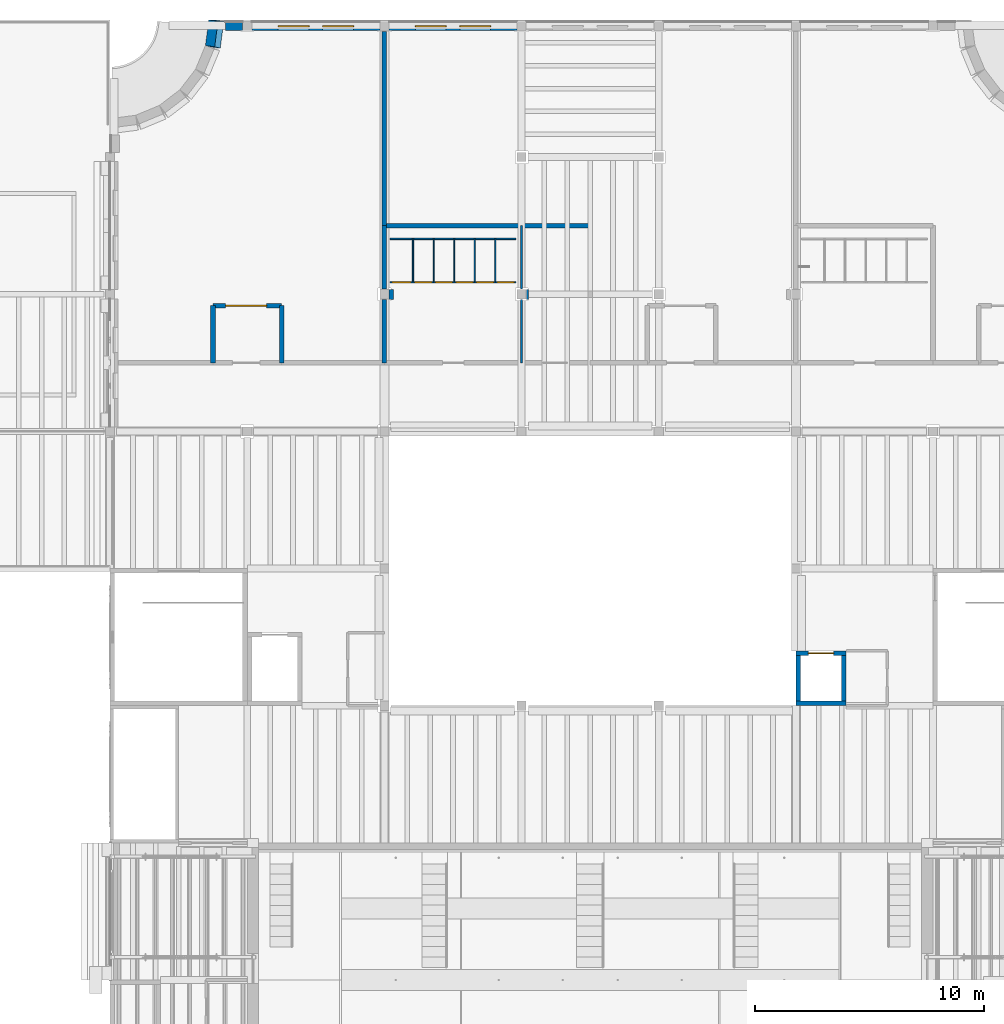
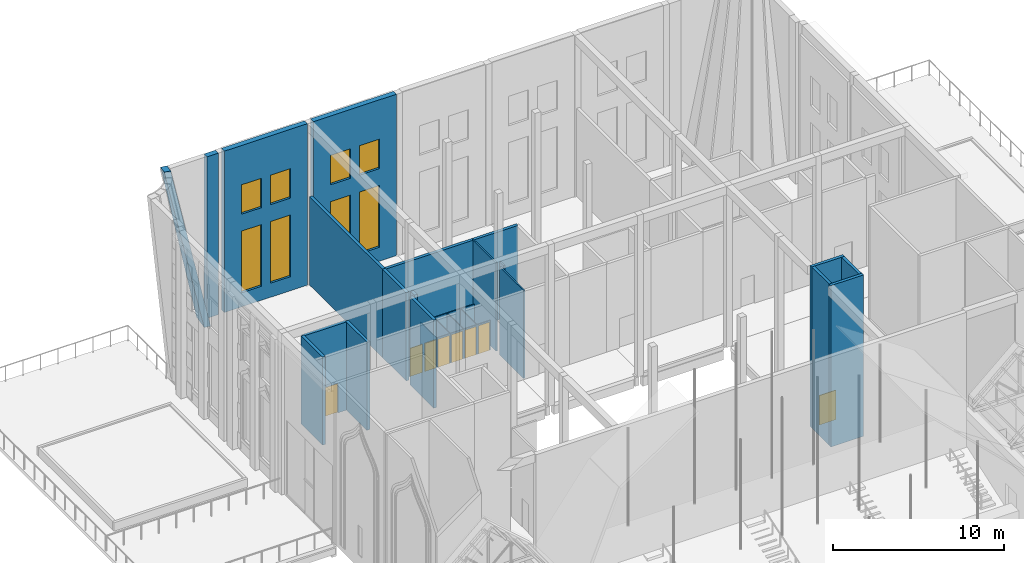
# One storey, part 66 of 118: 31 walls, 8 doors, 8 windows, 16 openings.
"""IFC4 building model written with IfcOpenShell, lengths in metres."""

from ifc_helpers import new_model, si_unit, direction, frame, frame_2d, origin, place, context, subcontext, project, spatial, polyline, rectangle, outline, extrude, material, layer, layer_set, type_object, element, fill, save


model = new_model("IFC4")

# Units and contexts
model_context = context("Model", 3, precision=1e-05, world=origin(), true_north=direction((0.0, 1.0)))
body_context = subcontext(model_context, "Body", "Model", "MODEL_VIEW")
ifc_project = project(units=[si_unit("LENGTHUNIT", "METRE"), si_unit("AREAUNIT", "SQUARE_METRE"), si_unit("VOLUMEUNIT", "CUBIC_METRE"), si_unit("PLANEANGLEUNIT", "RADIAN"), si_unit("MASSUNIT", "GRAM", prefix="KILO")], contexts=[model_context])

# Site, building, storey
site_placement = place(None, origin())
site = spatial("IfcSite", under=ifc_project, at=site_placement, CompositionType="ELEMENT")
building_placement = place(site_placement, origin())
building = spatial("IfcBuilding", under=site, at=building_placement, Name="Saffron Lane Theatres", CompositionType="ELEMENT")
storey_placement = place(building_placement, frame((0.0, 0.0, 16.5)))
storey = spatial("IfcBuildingStorey", under=building, at=storey_placement, Name="L03", CompositionType="ELEMENT", Elevation=16.5)

# Wall
ifc_material_1 = material(Name="Masonry pale clay brick (20 MPa)", Category="masonry")
ifc_layer_1 = layer(ifc_material_1, 0.35009765625)
ifc_layer_set_1 = layer_set([ifc_layer_1], Name="Masonry pale clay brick (20 MPa)")
wall_type_1 = type_object("IfcWallType", Name="EX-WALL BRICK BEARING 350", PredefinedType="SOLIDWALL", material=ifc_layer_set_1)
wall_1_placement = place(storey_placement, frame((17.0361328125, 125.72509765625, 0.0), z_axis=(0.0, 0.0, 1.0), x_axis=(1.0, 0.0, 0.0)))
element("IfcWall", 1, at=wall_1_placement, inside=storey, type_object=wall_type_1, Name="External wall L03 01", PredefinedType="SOLIDWALL", context=body_context, shape_type="SweptSolid", body=[
    extrude(rectangle(XDim=0.763916015625, YDim=0.35009765625, at=frame_2d((0.3818359375, 0.0))), origin(), (0.0, 0.0, 1.0), 11.5),
])

# Wall, openings, windows
wall_2_placement = place(storey_placement, frame((18.199951171875, 125.72509765625, 0.0), z_axis=(0.0, 0.0, 1.0), x_axis=(1.0, 0.0, 0.0)))
wall_2 = element("IfcWall", 2, at=wall_2_placement, inside=storey, type_object=wall_type_1, Name="External wall L03 03", PredefinedType="SOLIDWALL", context=body_context, shape_type="SweptSolid", body=[
    extrude(rectangle(XDim=5.60009765625, YDim=0.35009765625, at=frame_2d((2.800048828125, 0.0))), origin(), (0.0, 0.0, 1.0), 11.5),
])
opening_1_placement = place(wall_2_placement, frame((1.14990234375, 0.0, 1.0)))
opening_1 = element("IfcOpeningElement", 3, at=opening_1_placement, cuts=wall_2, Name="Opening WN03-001", PredefinedType="OPENING", context=body_context, shape_type="SweptSolid", body=[
    extrude(rectangle(XDim=1.35009765625, YDim=4.39990234375, at=frame_2d((0.675048828125, 2.199951171875))), frame((0.0, 0.18505859375, 0.0), z_axis=(0.0, -1.0, 0.0), x_axis=(1.0, 0.0, 0.0)), (0.0, 0.0, 1.0), 0.3701171875),
])
opening_2_placement = place(wall_2_placement, frame((3.10009765625, 0.0, 1.0)))
opening_2 = element("IfcOpeningElement", 4, at=opening_2_placement, cuts=wall_2, Name="Opening WN03-002", PredefinedType="OPENING", context=body_context, shape_type="SweptSolid", body=[
    extrude(rectangle(XDim=1.35009765625, YDim=4.39990234375, at=frame_2d((0.675048828125, 2.199951171875))), frame((0.0, 0.18505859375, 0.0), z_axis=(0.0, -1.0, 0.0), x_axis=(1.0, 0.0, 0.0)), (0.0, 0.0, 1.0), 0.3701171875),
])
opening_3_placement = place(wall_2_placement, frame((1.14990234375, 0.0, 6.60009765625)))
opening_3 = element("IfcOpeningElement", 5, at=opening_3_placement, cuts=wall_2, Name="Opening WN03-003", PredefinedType="OPENING", context=body_context, shape_type="SweptSolid", body=[
    extrude(rectangle(XDim=1.35009765625, YDim=2.10009765625, at=frame_2d((0.675048828125, 1.050048828125))), frame((0.0, 0.18505859375, 0.0), z_axis=(0.0, -1.0, 0.0), x_axis=(1.0, 0.0, 0.0)), (0.0, 0.0, 1.0), 0.3701171875),
])
opening_4_placement = place(wall_2_placement, frame((3.10009765625, 0.0, 6.60009765625)))
opening_4 = element("IfcOpeningElement", 6, at=opening_4_placement, cuts=wall_2, Name="Opening WN03-004", PredefinedType="OPENING", context=body_context, shape_type="SweptSolid", body=[
    extrude(rectangle(XDim=1.35009765625, YDim=2.10009765625, at=frame_2d((0.675048828125, 1.050048828125))), frame((0.0, 0.18505859375, 0.0), z_axis=(0.0, -1.0, 0.0), x_axis=(1.0, 0.0, 0.0)), (0.0, 0.0, 1.0), 0.3701171875),
])
ifc_material_2 = material(Name="Aluminium", Category="aluminium")
window_type_1 = type_object("IfcWindowType", Name="EX-WINDOW 1350x2100", PartitioningType="SINGLE_PANEL", PredefinedType="WINDOW", material=ifc_material_2)
window_1_placement = place(opening_3_placement, origin())
window_1 = element("IfcWindow", 7, at=window_1_placement, inside=storey, type_object=window_type_1, Name="Window L03 003", OverallHeight=2.10009765625, OverallWidth=1.35009765625, PartitioningType="SINGLE_PANEL", PredefinedType="WINDOW", context=body_context, shape_type="SweptSolid", body=[
    extrude(rectangle(XDim=1.35009765625, YDim=2.10009765625, at=frame_2d((0.675048828125, 1.050048828125))), frame((0.0, 0.030029296875, 0.0), z_axis=(0.0, -1.0, 0.0), x_axis=(1.0, 0.0, 0.0)), (0.0, 0.0, 1.0), 0.06005859375),
])
fill(opening_3, window_1)
window_2_placement = place(opening_4_placement, origin())
window_2 = element("IfcWindow", 8, at=window_2_placement, inside=storey, type_object=window_type_1, Name="Window L03 004", OverallHeight=2.10009765625, OverallWidth=1.35009765625, PartitioningType="SINGLE_PANEL", PredefinedType="WINDOW", context=body_context, shape_type="SweptSolid", body=[
    extrude(rectangle(XDim=1.35009765625, YDim=2.10009765625, at=frame_2d((0.675048828125, 1.050048828125))), frame((0.0, 0.030029296875, 0.0), z_axis=(0.0, -1.0, 0.0), x_axis=(1.0, 0.0, 0.0)), (0.0, 0.0, 1.0), 0.06005859375),
])
fill(opening_4, window_2)
ifc_material_3 = material(Name="Aluminium", Category="aluminium")
window_type_2 = type_object("IfcWindowType", Name="EX-WINDOW 1350x4400", PartitioningType="SINGLE_PANEL", PredefinedType="WINDOW", material=ifc_material_3)
window_3_placement = place(opening_1_placement, origin())
window_3 = element("IfcWindow", 9, at=window_3_placement, inside=storey, type_object=window_type_2, Name="Window L03 001", OverallHeight=4.39990234375, OverallWidth=1.35009765625, PartitioningType="SINGLE_PANEL", PredefinedType="WINDOW", context=body_context, shape_type="SweptSolid", body=[
    extrude(rectangle(XDim=1.35009765625, YDim=4.39990234375, at=frame_2d((0.675048828125, 2.199951171875))), frame((0.0, 0.030029296875, 0.0), z_axis=(0.0, -1.0, 0.0), x_axis=(1.0, 0.0, 0.0)), (0.0, 0.0, 1.0), 0.06005859375),
])
fill(opening_1, window_3)
window_4_placement = place(opening_2_placement, origin())
window_4 = element("IfcWindow", 10, at=window_4_placement, inside=storey, type_object=window_type_2, Name="Window L03 002", OverallHeight=4.39990234375, OverallWidth=1.35009765625, PartitioningType="SINGLE_PANEL", PredefinedType="WINDOW", context=body_context, shape_type="SweptSolid", body=[
    extrude(rectangle(XDim=1.35009765625, YDim=4.39990234375, at=frame_2d((0.675048828125, 2.199951171875))), frame((0.0, 0.030029296875, 0.0), z_axis=(0.0, -1.0, 0.0), x_axis=(1.0, 0.0, 0.0)), (0.0, 0.0, 1.0), 0.06005859375),
])
fill(opening_2, window_4)

wall_3_placement = place(storey_placement, frame((24.199951171875, 125.72509765625, 0.0), z_axis=(0.0, 0.0, 1.0), x_axis=(1.0, 0.0, 0.0)))
wall_3 = element("IfcWall", 11, at=wall_3_placement, inside=storey, type_object=wall_type_1, Name="External wall L03 04", PredefinedType="SOLIDWALL", context=body_context, shape_type="SweptSolid", body=[
    extrude(rectangle(XDim=5.60009765625, YDim=0.35009765625, at=frame_2d((2.800048828125, 0.0))), origin(), (0.0, 0.0, 1.0), 11.5),
])
opening_5_placement = place(wall_3_placement, frame((1.14990234375, 0.0, 1.0)))
opening_5 = element("IfcOpeningElement", 12, at=opening_5_placement, cuts=wall_3, Name="Opening WN03-005", PredefinedType="OPENING", context=body_context, shape_type="SweptSolid", body=[
    extrude(rectangle(XDim=1.35009765625, YDim=4.39990234375, at=frame_2d((0.675048828125, 2.199951171875))), frame((0.0, 0.18505859375, 0.0), z_axis=(0.0, -1.0, 0.0), x_axis=(1.0, 0.0, 0.0)), (0.0, 0.0, 1.0), 0.3701171875),
])
opening_6_placement = place(wall_3_placement, frame((3.10009765625, 0.0, 1.0)))
opening_6 = element("IfcOpeningElement", 13, at=opening_6_placement, cuts=wall_3, Name="Opening WN03-006", PredefinedType="OPENING", context=body_context, shape_type="SweptSolid", body=[
    extrude(rectangle(XDim=1.35009765625, YDim=4.39990234375, at=frame_2d((0.675048828125, 2.199951171875))), frame((0.0, 0.18505859375, 0.0), z_axis=(0.0, -1.0, 0.0), x_axis=(1.0, 0.0, 0.0)), (0.0, 0.0, 1.0), 0.3701171875),
])
opening_7_placement = place(wall_3_placement, frame((1.14990234375, 0.0, 6.60009765625)))
opening_7 = element("IfcOpeningElement", 14, at=opening_7_placement, cuts=wall_3, Name="Opening WN03-007", PredefinedType="OPENING", context=body_context, shape_type="SweptSolid", body=[
    extrude(rectangle(XDim=1.35009765625, YDim=2.10009765625, at=frame_2d((0.675048828125, 1.050048828125))), frame((0.0, 0.18505859375, 0.0), z_axis=(0.0, -1.0, 0.0), x_axis=(1.0, 0.0, 0.0)), (0.0, 0.0, 1.0), 0.3701171875),
])
opening_8_placement = place(wall_3_placement, frame((3.10009765625, 0.0, 6.60009765625)))
opening_8 = element("IfcOpeningElement", 15, at=opening_8_placement, cuts=wall_3, Name="Opening WN03-008", PredefinedType="OPENING", context=body_context, shape_type="SweptSolid", body=[
    extrude(rectangle(XDim=1.35009765625, YDim=2.10009765625, at=frame_2d((0.675048828125, 1.050048828125))), frame((0.0, 0.18505859375, 0.0), z_axis=(0.0, -1.0, 0.0), x_axis=(1.0, 0.0, 0.0)), (0.0, 0.0, 1.0), 0.3701171875),
])
window_5_placement = place(opening_7_placement, origin())
window_5 = element("IfcWindow", 16, at=window_5_placement, inside=storey, type_object=window_type_1, Name="Window L03 007", OverallHeight=2.10009765625, OverallWidth=1.35009765625, PartitioningType="SINGLE_PANEL", PredefinedType="WINDOW", context=body_context, shape_type="SweptSolid", body=[
    extrude(rectangle(XDim=1.35009765625, YDim=2.10009765625, at=frame_2d((0.675048828125, 1.050048828125))), frame((0.0, 0.030029296875, 0.0), z_axis=(0.0, -1.0, 0.0), x_axis=(1.0, 0.0, 0.0)), (0.0, 0.0, 1.0), 0.06005859375),
])
fill(opening_7, window_5)
window_6_placement = place(opening_8_placement, origin())
window_6 = element("IfcWindow", 17, at=window_6_placement, inside=storey, type_object=window_type_1, Name="Window L03 008", OverallHeight=2.10009765625, OverallWidth=1.35009765625, PartitioningType="SINGLE_PANEL", PredefinedType="WINDOW", context=body_context, shape_type="SweptSolid", body=[
    extrude(rectangle(XDim=1.35009765625, YDim=2.10009765625, at=frame_2d((0.675048828125, 1.050048828125))), frame((0.0, 0.030029296875, 0.0), z_axis=(0.0, -1.0, 0.0), x_axis=(1.0, 0.0, 0.0)), (0.0, 0.0, 1.0), 0.06005859375),
])
fill(opening_8, window_6)
window_7_placement = place(opening_5_placement, origin())
window_7 = element("IfcWindow", 18, at=window_7_placement, inside=storey, type_object=window_type_2, Name="Window L03 005", OverallHeight=4.39990234375, OverallWidth=1.35009765625, PartitioningType="SINGLE_PANEL", PredefinedType="WINDOW", context=body_context, shape_type="SweptSolid", body=[
    extrude(rectangle(XDim=1.35009765625, YDim=4.39990234375, at=frame_2d((0.675048828125, 2.199951171875))), frame((0.0, 0.030029296875, 0.0), z_axis=(0.0, -1.0, 0.0), x_axis=(1.0, 0.0, 0.0)), (0.0, 0.0, 1.0), 0.06005859375),
])
fill(opening_5, window_7)
window_8_placement = place(opening_6_placement, origin())
window_8 = element("IfcWindow", 19, at=window_8_placement, inside=storey, type_object=window_type_2, Name="Window L03 006", OverallHeight=4.39990234375, OverallWidth=1.35009765625, PartitioningType="SINGLE_PANEL", PredefinedType="WINDOW", context=body_context, shape_type="SweptSolid", body=[
    extrude(rectangle(XDim=1.35009765625, YDim=4.39990234375, at=frame_2d((0.675048828125, 2.199951171875))), frame((0.0, 0.030029296875, 0.0), z_axis=(0.0, -1.0, 0.0), x_axis=(1.0, 0.0, 0.0)), (0.0, 0.0, 1.0), 0.06005859375),
])
fill(opening_6, window_8)

# Wall
ifc_material_4 = material(Name="Acoustic double stud partition")
ifc_layer_2 = layer(ifc_material_4, 0.199951171875)
ifc_layer_set_2 = layer_set([ifc_layer_2], Name="Acoustic double stud partition")
wall_type_2 = type_object("IfcWallType", Name="IN-ACOUSTIC PARTITION 200", PredefinedType="PARTITIONING", material=ifc_layer_set_2)
wall_4_placement = place(storey_placement, frame((16.5, 111.0, 0.0), z_axis=(0.0, 0.0, 1.0), x_axis=(0.0, 1.0, 0.0)))
element("IfcWall", 20, at=wall_4_placement, inside=storey, type_object=wall_type_2, Name="PW-L03-003", PredefinedType="PARTITIONING", context=body_context, shape_type="SweptSolid", body=[
    extrude(rectangle(XDim=2.5, YDim=0.199951171875, at=frame_2d((1.25, 0.0))), origin(), (0.0, 0.0, 1.0), 6.280029296875),
])

# Wall, opening, door
wall_5_placement = place(storey_placement, frame((16.5, 113.5, 0.0), z_axis=(0.0, 0.0, 1.0), x_axis=(1.0, 0.0, 0.0)))
wall_5 = element("IfcWall", 21, at=wall_5_placement, inside=storey, type_object=wall_type_2, Name="PW-L03-004", PredefinedType="PARTITIONING", context=body_context, shape_type="SweptSolid", body=[
    extrude(rectangle(XDim=3.0, YDim=0.199951171875, at=frame_2d((1.5, 0.0))), origin(), (0.0, 0.0, 1.0), 6.280029296875),
])
opening_9_placement = place(wall_5_placement, frame((0.550048828125, 0.0, 0.0)))
opening_9 = element("IfcOpeningElement", 22, at=opening_9_placement, cuts=wall_5, Name="Opening D03-02", PredefinedType="OPENING", context=body_context, shape_type="SweptSolid", body=[
    extrude(rectangle(XDim=1.800048828125, YDim=2.10009765625, at=frame_2d((0.89990234375, 1.050048828125))), frame((0.0, 0.10986328125, 0.0), z_axis=(0.0, -1.0, 0.0), x_axis=(1.0, 0.0, 0.0)), (0.0, 0.0, 1.0), 0.219970703125),
])
ifc_material_5 = material(Name="Steel faced fire door leaf", Category="steel")
door_type_1 = type_object("IfcDoorType", Name="IN-DOOR 1800x2100 FD60", OperationType="DOUBLE_DOOR_SINGLE_SWING", PredefinedType="DOOR", material=ifc_material_5)
door_1_placement = place(opening_9_placement, frame((1.800048828125, 0.0, 0.0), z_axis=(0.0, 0.0, 1.0), x_axis=(-1.0, 0.0, 0.0)))
door_1 = element("IfcDoor", 23, at=door_1_placement, inside=storey, type_object=door_type_1, Name="D03-02", OperationType="DOUBLE_DOOR_SINGLE_SWING", OverallHeight=2.10009765625, OverallWidth=1.800048828125, PredefinedType="DOOR", context=body_context, shape_type="SweptSolid", body=[
    extrude(rectangle(XDim=1.800048828125, YDim=2.10009765625, at=frame_2d((0.89990234375, 1.050048828125))), frame((0.0, 0.02490234375, 0.0), z_axis=(0.0, -1.0, 0.0), x_axis=(1.0, 0.0, 0.0)), (0.0, 0.0, 1.0), 0.050048828125),
])
fill(opening_9, door_1)

# Walls
wall_6_placement = place(storey_placement, frame((19.5, 111.0, 0.0), z_axis=(0.0, 0.0, 1.0), x_axis=(0.0, 1.0, 0.0)))
element("IfcWall", 24, at=wall_6_placement, inside=storey, type_object=wall_type_2, Name="PW-L03-005", PredefinedType="PARTITIONING", context=body_context, shape_type="SweptSolid", body=[
    extrude(rectangle(XDim=2.5, YDim=0.199951171875, at=frame_2d((1.25, 0.0))), origin(), (0.0, 0.0, 1.0), 6.280029296875),
])
for number, where, z_axis, x_axis, name in (
    (25, (24.0, 114.219970703125, 0.0), (0.0, 0.0, 1.0), (0.0, 1.0, 0.0), "PW-L03-008"),
    (26, (24.0, 111.0, 0.0), (0.0, 0.0, 1.0), (0.0, 1.0, 0.0), "PW-L03-009"),
):
    element("IfcWall", number, at=place(storey_placement, frame(where, z_axis=z_axis, x_axis=x_axis)), inside=storey, type_object=wall_type_2, Name=name, PredefinedType="PARTITIONING", context=body_context, shape_type="SweptSolid", body=[
        extrude(rectangle(XDim=2.780029296875, YDim=0.199951171875, at=frame_2d((1.39013671875, 0.0))), origin(), (0.0, 0.0, 1.0), 6.280029296875),
    ])
wall_7_placement = place(storey_placement, frame((24.304931640625, 113.780029296875, 0.0), z_axis=(0.0, 0.0, 1.0), x_axis=(0.0, 1.0, 0.0)))
element("IfcWall", 27, at=wall_7_placement, inside=storey, type_object=wall_type_2, Name="PW-L03-010", PredefinedType="PARTITIONING", context=body_context, shape_type="SweptSolid", body=[
    extrude(rectangle(XDim=0.43994140625, YDim=0.199951171875, at=frame_2d((0.219970703125, 0.0))), origin(), (0.0, 0.0, 1.0), 6.280029296875),
])
wall_8_placement = place(storey_placement, frame((24.0, 117.0, 0.0), z_axis=(0.0, 0.0, 1.0), x_axis=(1.0, 0.0, 0.0)))
element("IfcWall", 28, at=wall_8_placement, inside=storey, type_object=wall_type_2, Name="PW-L03-011", PredefinedType="PARTITIONING", context=body_context, shape_type="SweptSolid", body=[
    extrude(rectangle(XDim=9.0, YDim=0.199951171875, at=frame_2d((4.5, 0.0))), origin(), (0.0, 0.0, 1.0), 6.280029296875),
])
wall_9_placement = place(storey_placement, frame((24.0, 117.0, 0.0), z_axis=(0.0, 0.0, 1.0), x_axis=(0.0, 1.0, 0.0)))
element("IfcWall", 29, at=wall_9_placement, inside=storey, type_object=wall_type_2, Name="PW-L03-013", PredefinedType="PARTITIONING", context=body_context, shape_type="SweptSolid", body=[
    extrude(rectangle(XDim=8.50439453125, YDim=0.199951171875, at=frame_2d((4.252197265625, 0.0))), origin(), (0.0, 0.0, 1.0), 6.280029296875),
])
ifc_material_6 = material(Name="Laminate cubicle panel")
ifc_layer_3 = layer(ifc_material_6, 0.050048828125)
ifc_layer_set_3 = layer_set([ifc_layer_3], Name="Laminate cubicle panel")
wall_type_3 = type_object("IfcWallType", Name="IN-CUBICLE PANEL 050", PredefinedType="PARTITIONING", material=ifc_layer_set_3)
for number, where, z_axis, x_axis, name in (
    (30, (25.25, 114.52490234375, 0.0), (0.0, 0.0, 1.0), (0.0, 1.0, 0.0), "PW-L03-053"),
    (31, (26.14990234375, 114.52490234375, 0.0), (0.0, 0.0, 1.0), (0.0, 1.0, 0.0), "PW-L03-054"),
    (32, (27.050048828125, 114.52490234375, 0.0), (0.0, 0.0, 1.0), (0.0, 1.0, 0.0), "PW-L03-055"),
    (33, (27.949951171875, 114.52490234375, 0.0), (0.0, 0.0, 1.0), (0.0, 1.0, 0.0), "PW-L03-056"),
    (34, (28.85009765625, 114.52490234375, 0.0), (0.0, 0.0, 1.0), (0.0, 1.0, 0.0), "PW-L03-057"),
):
    element("IfcWall", number, at=place(storey_placement, frame(where, z_axis=z_axis, x_axis=x_axis)), inside=storey, type_object=wall_type_3, Name=name, PredefinedType="PARTITIONING", context=body_context, shape_type="SweptSolid", body=[
        extrude(rectangle(XDim=1.900146484375, YDim=0.050048828125, at=frame_2d((0.9501953125, 0.0))), origin(), (0.0, 0.0, 1.0), 2.10009765625),
    ])

# Wall, opening, door
wall_10_placement = place(storey_placement, frame((24.25, 114.52490234375, 0.0), z_axis=(0.0, 0.0, 1.0), x_axis=(1.0, 0.0, 0.0)))
wall_10 = element("IfcWall", 35, at=wall_10_placement, inside=storey, type_object=wall_type_3, Name="PW-L03-058", PredefinedType="PARTITIONING", context=body_context, shape_type="SweptSolid", body=[
    extrude(rectangle(XDim=1.0, YDim=0.050048828125, at=frame_2d((0.5, 0.0))), origin(), (0.0, 0.0, 1.0), 2.10009765625),
])
opening_10_placement = place(wall_10_placement, frame((0.090087890625, 0.0, 0.0)))
opening_10 = element("IfcOpeningElement", 36, at=opening_10_placement, cuts=wall_10, Name="Opening D03-32", PredefinedType="OPENING", context=body_context, shape_type="SweptSolid", body=[
    extrude(rectangle(XDim=0.820068359375, YDim=2.0, at=frame_2d((0.41015625, 1.0))), frame((0.0, 0.03515625, 0.0), z_axis=(0.0, -1.0, 0.0), x_axis=(1.0, 0.0, 0.0)), (0.0, 0.0, 1.0), 0.070068359375),
])
ifc_material_7 = material(Name="Timber door leaf", Category="wood")
door_type_2 = type_object("IfcDoorType", Name="IN-DOOR 820x2000", OperationType="NOTDEFINED", PredefinedType="DOOR", material=ifc_material_7)
door_2_placement = place(opening_10_placement, origin())
door_2 = element("IfcDoor", 37, at=door_2_placement, inside=storey, type_object=door_type_2, Name="D03-32", OperationType="SINGLE_SWING_LEFT", OverallHeight=2.0, OverallWidth=0.820068359375, PredefinedType="DOOR", context=body_context, shape_type="SweptSolid", body=[
    extrude(rectangle(XDim=0.820068359375, YDim=2.0, at=frame_2d((0.41015625, 1.0))), frame((0.0, 0.02490234375, 0.0), z_axis=(0.0, -1.0, 0.0), x_axis=(1.0, 0.0, 0.0)), (0.0, 0.0, 1.0), 0.049560546875),
])
fill(opening_10, door_2)

wall_11_placement = place(storey_placement, frame((25.25, 114.52490234375, 0.0), z_axis=(0.0, 0.0, 1.0), x_axis=(1.0, 0.0, 0.0)))
wall_11 = element("IfcWall", 38, at=wall_11_placement, inside=storey, type_object=wall_type_3, Name="PW-L03-059", PredefinedType="PARTITIONING", context=body_context, shape_type="SweptSolid", body=[
    extrude(rectangle(XDim=0.89990234375, YDim=0.050048828125, at=frame_2d((0.449951171875, 0.0))), origin(), (0.0, 0.0, 1.0), 2.10009765625),
])
opening_11_placement = place(wall_11_placement, frame((0.074951171875, 0.0, 0.0)))
opening_11 = element("IfcOpeningElement", 39, at=opening_11_placement, cuts=wall_11, Name="Opening D03-33", PredefinedType="OPENING", context=body_context, shape_type="SweptSolid", body=[
    extrude(rectangle(XDim=0.75, YDim=2.0, at=frame_2d((0.375, 1.0))), frame((0.0, 0.03515625, 0.0), z_axis=(0.0, -1.0, 0.0), x_axis=(1.0, 0.0, 0.0)), (0.0, 0.0, 1.0), 0.070068359375),
])
ifc_material_8 = material(Name="Timber door leaf", Category="wood")
door_type_3 = type_object("IfcDoorType", Name="IN-DOOR 750x2000", OperationType="NOTDEFINED", PredefinedType="DOOR", material=ifc_material_8)
door_3_placement = place(opening_11_placement, origin())
door_3 = element("IfcDoor", 40, at=door_3_placement, inside=storey, type_object=door_type_3, Name="D03-33", OperationType="SINGLE_SWING_RIGHT", OverallHeight=2.0, OverallWidth=0.75, PredefinedType="DOOR", context=body_context, shape_type="SweptSolid", body=[
    extrude(rectangle(XDim=0.75, YDim=2.0, at=frame_2d((0.375, 1.0))), frame((0.0, 0.02490234375, 0.0), z_axis=(0.0, -1.0, 0.0), x_axis=(1.0, 0.0, 0.0)), (0.0, 0.0, 1.0), 0.049560546875),
])
fill(opening_11, door_3)

wall_12_placement = place(storey_placement, frame((26.14990234375, 114.52490234375, 0.0), z_axis=(0.0, 0.0, 1.0), x_axis=(1.0, 0.0, 0.0)))
wall_12 = element("IfcWall", 41, at=wall_12_placement, inside=storey, type_object=wall_type_3, Name="PW-L03-060", PredefinedType="PARTITIONING", context=body_context, shape_type="SweptSolid", body=[
    extrude(rectangle(XDim=0.900146484375, YDim=0.050048828125, at=frame_2d((0.4501953125, 0.0))), origin(), (0.0, 0.0, 1.0), 2.10009765625),
])
opening_12_placement = place(wall_12_placement, frame((0.074951171875, 0.0, 0.0)))
opening_12 = element("IfcOpeningElement", 42, at=opening_12_placement, cuts=wall_12, Name="Opening D03-34", PredefinedType="OPENING", context=body_context, shape_type="SweptSolid", body=[
    extrude(rectangle(XDim=0.75, YDim=2.0, at=frame_2d((0.375, 1.0))), frame((0.0, 0.03515625, 0.0), z_axis=(0.0, -1.0, 0.0), x_axis=(1.0, 0.0, 0.0)), (0.0, 0.0, 1.0), 0.070068359375),
])
door_4_placement = place(opening_12_placement, origin())
door_4 = element("IfcDoor", 43, at=door_4_placement, inside=storey, type_object=door_type_3, Name="D03-34", OperationType="SINGLE_SWING_LEFT", OverallHeight=2.0, OverallWidth=0.75, PredefinedType="DOOR", context=body_context, shape_type="SweptSolid", body=[
    extrude(rectangle(XDim=0.75, YDim=2.0, at=frame_2d((0.375, 1.0))), frame((0.0, 0.02490234375, 0.0), z_axis=(0.0, -1.0, 0.0), x_axis=(1.0, 0.0, 0.0)), (0.0, 0.0, 1.0), 0.049560546875),
])
fill(opening_12, door_4)

wall_13_placement = place(storey_placement, frame((27.050048828125, 114.52490234375, 0.0), z_axis=(0.0, 0.0, 1.0), x_axis=(1.0, 0.0, 0.0)))
wall_13 = element("IfcWall", 44, at=wall_13_placement, inside=storey, type_object=wall_type_3, Name="PW-L03-061", PredefinedType="PARTITIONING", context=body_context, shape_type="SweptSolid", body=[
    extrude(rectangle(XDim=0.89990234375, YDim=0.050048828125, at=frame_2d((0.449951171875, 0.0))), origin(), (0.0, 0.0, 1.0), 2.10009765625),
])
opening_13_placement = place(wall_13_placement, frame((0.074951171875, 0.0, 0.0)))
opening_13 = element("IfcOpeningElement", 45, at=opening_13_placement, cuts=wall_13, Name="Opening D03-35", PredefinedType="OPENING", context=body_context, shape_type="SweptSolid", body=[
    extrude(rectangle(XDim=0.75, YDim=2.0, at=frame_2d((0.375, 1.0))), frame((0.0, 0.03515625, 0.0), z_axis=(0.0, -1.0, 0.0), x_axis=(1.0, 0.0, 0.0)), (0.0, 0.0, 1.0), 0.070068359375),
])
door_5_placement = place(opening_13_placement, origin())
door_5 = element("IfcDoor", 46, at=door_5_placement, inside=storey, type_object=door_type_3, Name="D03-35", OperationType="SINGLE_SWING_RIGHT", OverallHeight=2.0, OverallWidth=0.75, PredefinedType="DOOR", context=body_context, shape_type="SweptSolid", body=[
    extrude(rectangle(XDim=0.75, YDim=2.0, at=frame_2d((0.375, 1.0))), frame((0.0, 0.02490234375, 0.0), z_axis=(0.0, -1.0, 0.0), x_axis=(1.0, 0.0, 0.0)), (0.0, 0.0, 1.0), 0.049560546875),
])
fill(opening_13, door_5)

wall_14_placement = place(storey_placement, frame((27.949951171875, 114.52490234375, 0.0), z_axis=(0.0, 0.0, 1.0), x_axis=(1.0, 0.0, 0.0)))
wall_14 = element("IfcWall", 47, at=wall_14_placement, inside=storey, type_object=wall_type_3, Name="PW-L03-062", PredefinedType="PARTITIONING", context=body_context, shape_type="SweptSolid", body=[
    extrude(rectangle(XDim=0.900146484375, YDim=0.050048828125, at=frame_2d((0.4501953125, 0.0))), origin(), (0.0, 0.0, 1.0), 2.10009765625),
])
opening_14_placement = place(wall_14_placement, frame((0.074951171875, 0.0, 0.0)))
opening_14 = element("IfcOpeningElement", 48, at=opening_14_placement, cuts=wall_14, Name="Opening D03-36", PredefinedType="OPENING", context=body_context, shape_type="SweptSolid", body=[
    extrude(rectangle(XDim=0.75, YDim=2.0, at=frame_2d((0.375, 1.0))), frame((0.0, 0.03515625, 0.0), z_axis=(0.0, -1.0, 0.0), x_axis=(1.0, 0.0, 0.0)), (0.0, 0.0, 1.0), 0.070068359375),
])
door_6_placement = place(opening_14_placement, origin())
door_6 = element("IfcDoor", 49, at=door_6_placement, inside=storey, type_object=door_type_3, Name="D03-36", OperationType="SINGLE_SWING_LEFT", OverallHeight=2.0, OverallWidth=0.75, PredefinedType="DOOR", context=body_context, shape_type="SweptSolid", body=[
    extrude(rectangle(XDim=0.75, YDim=2.0, at=frame_2d((0.375, 1.0))), frame((0.0, 0.02490234375, 0.0), z_axis=(0.0, -1.0, 0.0), x_axis=(1.0, 0.0, 0.0)), (0.0, 0.0, 1.0), 0.049560546875),
])
fill(opening_14, door_6)

wall_15_placement = place(storey_placement, frame((28.85009765625, 114.52490234375, 0.0), z_axis=(0.0, 0.0, 1.0), x_axis=(1.0, 0.0, 0.0)))
wall_15 = element("IfcWall", 50, at=wall_15_placement, inside=storey, type_object=wall_type_3, Name="PW-L03-063", PredefinedType="PARTITIONING", context=body_context, shape_type="SweptSolid", body=[
    extrude(rectangle(XDim=0.89990234375, YDim=0.050048828125, at=frame_2d((0.449951171875, 0.0))), origin(), (0.0, 0.0, 1.0), 2.10009765625),
])
opening_15_placement = place(wall_15_placement, frame((0.074951171875, 0.0, 0.0)))
opening_15 = element("IfcOpeningElement", 51, at=opening_15_placement, cuts=wall_15, Name="Opening D03-37", PredefinedType="OPENING", context=body_context, shape_type="SweptSolid", body=[
    extrude(rectangle(XDim=0.75, YDim=2.0, at=frame_2d((0.375, 1.0))), frame((0.0, 0.03515625, 0.0), z_axis=(0.0, -1.0, 0.0), x_axis=(1.0, 0.0, 0.0)), (0.0, 0.0, 1.0), 0.070068359375),
])
door_7_placement = place(opening_15_placement, origin())
door_7 = element("IfcDoor", 52, at=door_7_placement, inside=storey, type_object=door_type_3, Name="D03-37", OperationType="SINGLE_SWING_RIGHT", OverallHeight=2.0, OverallWidth=0.75, PredefinedType="DOOR", context=body_context, shape_type="SweptSolid", body=[
    extrude(rectangle(XDim=0.75, YDim=2.0, at=frame_2d((0.375, 1.0))), frame((0.0, 0.02490234375, 0.0), z_axis=(0.0, -1.0, 0.0), x_axis=(1.0, 0.0, 0.0)), (0.0, 0.0, 1.0), 0.049560546875),
])
fill(opening_15, door_7)

# Walls
ifc_material_9 = material(Name="Laminate service partition")
ifc_layer_4 = layer(ifc_material_9, 0.06005859375)
ifc_layer_set_4 = layer_set([ifc_layer_4], Name="Laminate service partition")
wall_type_4 = type_object("IfcWallType", Name="IN-SERVICE PARTITION 060", PredefinedType="PARTITIONING", material=ifc_layer_set_4)
wall_16_placement = place(storey_placement, frame((24.25, 116.425048828125, 0.0), z_axis=(0.0, 0.0, 1.0), x_axis=(1.0, 0.0, 0.0)))
element("IfcWall", 53, at=wall_16_placement, inside=storey, type_object=wall_type_4, Name="PW-L03-052", PredefinedType="PARTITIONING", context=body_context, shape_type="SweptSolid", body=[
    extrude(rectangle(XDim=5.5, YDim=0.06005859375, at=frame_2d((2.75, 0.0))), origin(), (0.0, 0.0, 1.0), 2.10009765625),
])
ifc_material_10 = material(Name="Plasterboard on 90 mm steel studs", Category="steel")
ifc_layer_5 = layer(ifc_material_10, 0.090087890625)
ifc_layer_set_5 = layer_set([ifc_layer_5], Name="Plasterboard on 90 mm steel studs")
wall_type_5 = type_object("IfcWallType", Name="IN-STUD PARTITION 090", PredefinedType="PARTITIONING", material=ifc_layer_set_5)
for number, where, z_axis, x_axis, name in (
    (54, (30.0, 114.219970703125, 0.0), (0.0, 0.0, 1.0), (0.0, 1.0, 0.0), "PW-L03-049"),
    (55, (30.0, 111.0, 0.0), (0.0, 0.0, 1.0), (0.0, 1.0, 0.0), "PW-L03-050"),
):
    element("IfcWall", number, at=place(storey_placement, frame(where, z_axis=z_axis, x_axis=x_axis)), inside=storey, type_object=wall_type_5, Name=name, PredefinedType="PARTITIONING", context=body_context, shape_type="SweptSolid", body=[
        extrude(rectangle(XDim=2.780029296875, YDim=0.090087890625, at=frame_2d((1.39013671875, 0.0))), origin(), (0.0, 0.0, 1.0), 6.280029296875),
    ])
wall_17_placement = place(storey_placement, frame((30.25, 113.780029296875, 0.0), z_axis=(0.0, 0.0, 1.0), x_axis=(0.0, 1.0, 0.0)))
element("IfcWall", 56, at=wall_17_placement, inside=storey, type_object=wall_type_5, Name="PW-L03-051", PredefinedType="PARTITIONING", context=body_context, shape_type="SweptSolid", body=[
    extrude(rectangle(XDim=0.43994140625, YDim=0.090087890625, at=frame_2d((0.219970703125, 0.0))), origin(), (0.0, 0.0, 1.0), 6.280029296875),
])

# Wall, opening, door
ifc_material_11 = material(Name="Concrete N50 (50 MPa)", Category="concrete")
ifc_layer_6 = layer(ifc_material_11, 0.199951171875)
ifc_layer_set_6 = layer_set([ifc_layer_6], Name="Concrete N50 (50 MPa)")
wall_type_6 = type_object("IfcWallType", Name="RC-CORE 200", PredefinedType="SHEAR", material=ifc_layer_set_6)
wall_18_placement = place(storey_placement, frame((42.0, 98.300048828125, 0.0), z_axis=(0.0, 0.0, 1.0), x_axis=(1.0, 0.0, 0.0)))
wall_18 = element("IfcWall", 57, at=wall_18_placement, inside=storey, type_object=wall_type_6, Name="W-LC2-N-L03", PredefinedType="SHEAR", context=body_context, shape_type="SweptSolid", body=[
    extrude(rectangle(XDim=2.199951171875, YDim=0.199951171875, at=frame_2d((1.10009765625, 0.0))), origin(), (0.0, 0.0, 1.0), 11.5),
])
opening_16_placement = place(wall_18_placement, frame((0.550048828125, 0.0, 0.0)))
opening_16 = element("IfcOpeningElement", 58, at=opening_16_placement, cuts=wall_18, Name="Opening LD8", PredefinedType="OPENING", context=body_context, shape_type="SweptSolid", body=[
    extrude(rectangle(XDim=1.10009765625, YDim=2.10009765625, at=frame_2d((0.550048828125, 1.050048828125))), frame((0.0, 0.10986328125, 0.0), z_axis=(0.0, -1.0, 0.0), x_axis=(1.0, 0.0, 0.0)), (0.0, 0.0, 1.0), 0.219970703125),
])
ifc_material_12 = material(Name="Stainless steel 316", Category="steel")
door_type_4 = type_object("IfcDoorType", Name="VC-LANDING DOOR 1100x2100", OperationType="DOUBLE_DOOR_SLIDING", PredefinedType="DOOR", material=ifc_material_12)
door_8_placement = place(opening_16_placement, origin())
door_8 = element("IfcDoor", 59, at=door_8_placement, inside=storey, type_object=door_type_4, Name="Landing doors LC2 L03", OperationType="DOUBLE_DOOR_SLIDING", OverallHeight=2.10009765625, OverallWidth=1.10009765625, PredefinedType="DOOR", context=body_context, shape_type="SweptSolid", body=[
    extrude(rectangle(XDim=1.10009765625, YDim=2.10009765625, at=frame_2d((0.550048828125, 1.050048828125))), frame((0.0, 0.02490234375, 0.0), z_axis=(0.0, -1.0, 0.0), x_axis=(1.0, 0.0, 0.0)), (0.0, 0.0, 1.0), 0.050048828125),
])
fill(opening_16, door_8)

# Walls
wall_19_placement = place(storey_placement, frame((42.0, 96.10009765625, 0.0), z_axis=(0.0, 0.0, 1.0), x_axis=(1.0, 0.0, 0.0)))
element("IfcWall", 60, at=wall_19_placement, inside=storey, type_object=wall_type_6, Name="W-LC2-S-L03", PredefinedType="SHEAR", context=body_context, shape_type="SweptSolid", body=[
    extrude(rectangle(XDim=2.199951171875, YDim=0.199951171875, at=frame_2d((1.10009765625, 0.0))), origin(), (0.0, 0.0, 1.0), 11.5),
])
for number, where, z_axis, x_axis, name in (
    (61, (42.10009765625, 96.199951171875, 0.0), (0.0, 0.0, 1.0), (0.0, 1.0, 0.0), "W-LC2-W-L03"),
    (62, (44.10009765625, 96.199951171875, 0.0), (0.0, 0.0, 1.0), (0.0, 1.0, 0.0), "W-LC2-E-L03"),
):
    element("IfcWall", number, at=place(storey_placement, frame(where, z_axis=z_axis, x_axis=x_axis)), inside=storey, type_object=wall_type_6, Name=name, PredefinedType="SHEAR", context=body_context, shape_type="SweptSolid", body=[
        extrude(rectangle(XDim=2.0, YDim=0.199951171875, at=frame_2d((1.0, 0.0))), origin(), (0.0, 0.0, 1.0), 11.5),
    ])
ifc_material_13 = material(Name="Masonry pale clay brick", Category="masonry")
ifc_layer_7 = layer(ifc_material_13, 0.11, Name="facing")
ifc_material_14 = material(Name="Concrete N50 (50 MPa)", Category="concrete")
ifc_layer_8 = layer(ifc_material_14, 0.29, Name="structure")
ifc_layer_set_7 = layer_set([ifc_layer_7, ifc_layer_8], Name="Concrete N50 (50 MPa)")
wall_type_7 = type_object("IfcWallType", Name="RC-SCOOP 400", PredefinedType="SOLIDWALL", material=ifc_layer_set_7)
wall_20_placement = place(storey_placement, frame((16.56640625, 125.99951171875, 0.0), z_axis=(0.970658767683, -0.127804312758, 0.203685086252), x_axis=(-0.130537547954, -0.991443366163, -1.6312522e-05)))
element("IfcWall", 63, at=wall_20_placement, inside=storey, type_object=wall_type_7, Name="W-SCOOP-NW-L03-1-F1", PredefinedType="SOLIDWALL", context=body_context, shape_type="SweptSolid", body=[
    extrude(outline(polyline([(0.0, 0.0), (1.1920726937598658, 0.0), (0.8770072621636154, -11.746257472389681), (0.31481072727991516, -11.746228243084472), (0.0, 0.0)])), origin(), (-1.1662418e-05, 0.203685086452, 0.979036457657), 0.408447265625),
])

save(model, "model.ifc")
